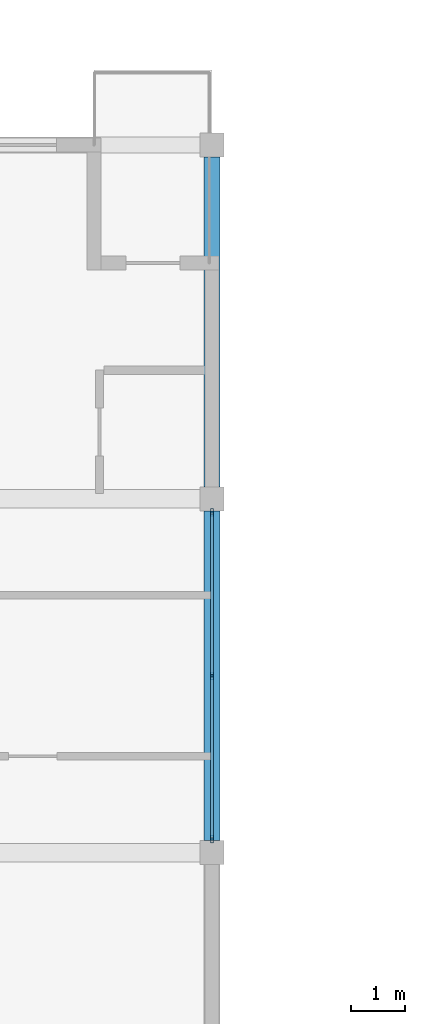
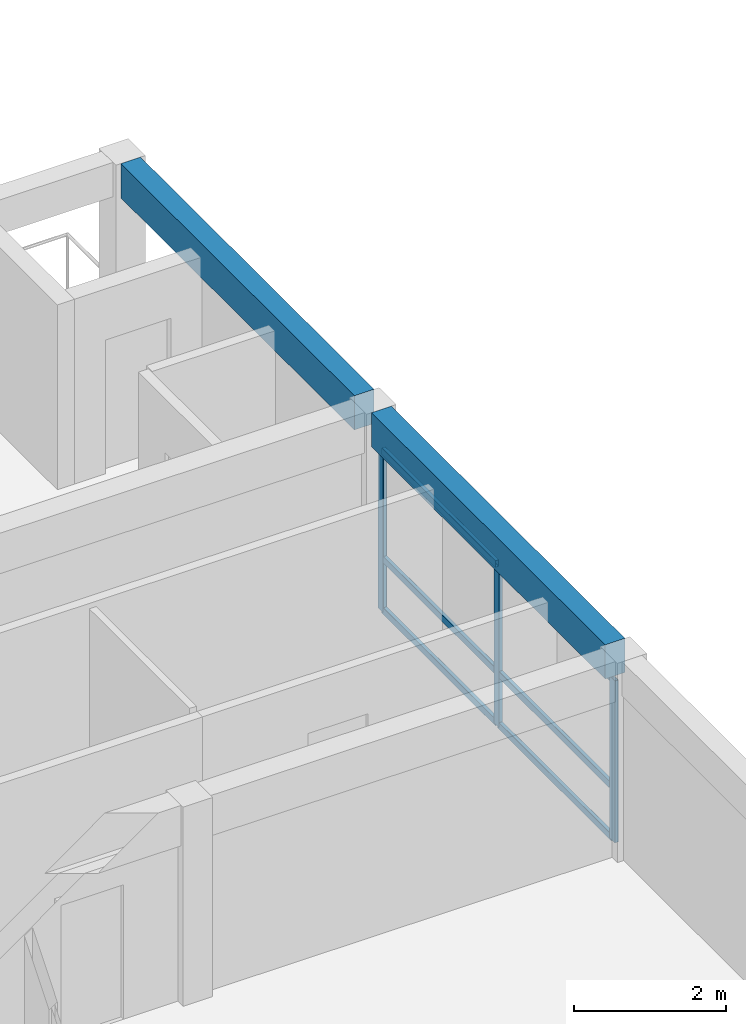
# One storey, part 11 of 37: 9 members, 2 beams, 1 element without a shape of its own.
"""IFC4 building model written with IfcOpenShell, lengths in metres."""

from ifc_helpers import new_model, si_unit, direction, frame, origin, origin_2d, place, context, subcontext, project, spatial, rectangle, hollow_rectangle, extrude, material, material_profile, profile_set, type_object, element, aggregate, save


model = new_model("IFC4")

# Units and contexts
model_context = context("Model", 3, precision=1e-05, world=origin(), true_north=direction((0.0, 1.0)))
body_context = subcontext(model_context, "Body", "Model", "MODEL_VIEW")
ifc_project = project(units=[si_unit("LENGTHUNIT", "METRE"), si_unit("AREAUNIT", "SQUARE_METRE"), si_unit("VOLUMEUNIT", "CUBIC_METRE"), si_unit("PLANEANGLEUNIT", "RADIAN"), si_unit("MASSUNIT", "GRAM", prefix="KILO")], contexts=[model_context])

# Site, building, storey
site_placement = place(None, origin())
site = spatial("IfcSite", under=ifc_project, at=site_placement, CompositionType="ELEMENT")
building_placement = place(site_placement, origin())
building = spatial("IfcBuilding", under=site, at=building_placement, Name="Kernevlak Ridge Housing Community", CompositionType="ELEMENT")
storey_placement = place(building_placement, frame((0.0, 0.0, 37.199951171875)))
storey = spatial("IfcBuildingStorey", under=building, at=storey_placement, Name="L11", CompositionType="ELEMENT", Elevation=37.199951171875)

# Curtain wall, members
ifc_material_1 = material(Name="Aluminium EN AW-6060 anodised and laminated glass", Category="aluminium")
curtain_wall_type = type_object("IfcCurtainWallType", Name="CW-09", PredefinedType="NOTDEFINED", material=ifc_material_1)
curtain_wall_placement = place(storey_placement, origin())
curtain_wall = element("IfcCurtainWall", 1, at=curtain_wall_placement, inside=storey, type_object=curtain_wall_type, Name="Curtain wall CW-09 CW-L11-036", PredefinedType="NOTDEFINED")
ifc_material_2 = material(Name="Aluminium EN AW-6060 anodised", Category="aluminium")
ifc_material_profile_1 = material_profile(ifc_material_2, hollow_rectangle(XDim=0.054931640625, YDim=0.139892578125, WallThickness=0.00390625, InnerFilletRadius=0.001953125, OuterFilletRadius=0.00390625, at=origin_2d()), Name="ALU 55x140x4")
ifc_profile_set_1 = profile_set([ifc_material_profile_1], Name="Aluminium EN AW-6060 anodised")
member_type_1 = type_object("IfcMemberType", Name="MU-01", PredefinedType="MULLION", material=ifc_profile_set_1)
member_1_placement = place(storey_placement, frame((48.60009765625, 82.8525390625, 0.0), z_axis=(0.0, 0.0, 1.0), x_axis=(-1.0, 0.0, 0.0)))
member_1 = element("IfcMember", 2, at=member_1_placement, type_object=member_type_1, Name="CW-09 mullion 1", PredefinedType="MULLION", context=body_context, shape_type="SweptSolid", body=[
    extrude(hollow_rectangle(XDim=0.054931640625, YDim=0.139892578125, WallThickness=0.00390625, InnerFilletRadius=0.001953125, OuterFilletRadius=0.00390625, at=origin_2d()), origin(), (0.0, 0.0, 1.0), 2.60009765625),
])
member_2_placement = place(storey_placement, frame((48.60009765625, 85.89990234375, 0.0), z_axis=(0.0, 0.0, 1.0), x_axis=(-1.0, 0.0, 0.0)))
member_2 = element("IfcMember", 3, at=member_2_placement, type_object=member_type_1, Name="CW-09 mullion 2", PredefinedType="MULLION", context=body_context, shape_type="SweptSolid", body=[
    extrude(hollow_rectangle(XDim=0.054931640625, YDim=0.139892578125, WallThickness=0.00390625, InnerFilletRadius=0.001953125, OuterFilletRadius=0.00390625, at=origin_2d()), origin(), (0.0, 0.0, 1.0), 2.60009765625),
])
member_3_placement = place(storey_placement, frame((48.60009765625, 88.947509765625, 0.0), z_axis=(0.0, 0.0, 1.0), x_axis=(-1.0, 0.0, 0.0)))
member_3 = element("IfcMember", 4, at=member_3_placement, type_object=member_type_1, Name="CW-09 mullion 3", PredefinedType="MULLION", context=body_context, shape_type="SweptSolid", body=[
    extrude(hollow_rectangle(XDim=0.054931640625, YDim=0.139892578125, WallThickness=0.00390625, InnerFilletRadius=0.001953125, OuterFilletRadius=0.00390625, at=origin_2d()), origin(), (0.0, 0.0, 1.0), 2.60009765625),
])

# Beams
ifc_material_3 = material(Name="Concrete C35/45", Category="concrete")
ifc_material_profile_2 = material_profile(ifc_material_3, rectangle(XDim=0.300048828125, YDim=0.550048828125, at=origin_2d()), Name="RC 300x550")
ifc_profile_set_2 = profile_set([ifc_material_profile_2], Name="Concrete C35/45")
beam_type = type_object("IfcBeamType", Name="SP-01", PredefinedType="SPANDREL", material=ifc_profile_set_2)
beam_1_placement = place(storey_placement, frame((48.60009765625, 82.824951171875, 2.925048828125), z_axis=(0.0, 1.0, 0.0), x_axis=(-1.0, 0.0, 0.0)))
element("IfcBeam", 5, at=beam_1_placement, inside=storey, type_object=beam_type, Name="Beam SP-01 L11 367", PredefinedType="SPANDREL", context=body_context, shape_type="SweptSolid", body=[
    extrude(rectangle(XDim=0.300048828125, YDim=0.550048828125, at=origin_2d()), origin(), (0.0, 0.0, 1.0), 6.150146484375),
])
beam_2_placement = place(storey_placement, frame((48.60009765625, 89.425048828125, 2.925048828125), z_axis=(0.0, 1.0, 0.0), x_axis=(-1.0, 0.0, 0.0)))
element("IfcBeam", 6, at=beam_2_placement, inside=storey, type_object=beam_type, Name="Beam SP-01 L11 368", PredefinedType="SPANDREL", context=body_context, shape_type="SweptSolid", body=[
    extrude(rectangle(XDim=0.300048828125, YDim=0.550048828125, at=origin_2d()), origin(), (0.0, 0.0, 1.0), 6.14990234375),
])

# Member
ifc_material_profile_3 = material_profile(ifc_material_2, hollow_rectangle(XDim=0.054931640625, YDim=0.110107421875, WallThickness=0.00390625, InnerFilletRadius=0.001953125, OuterFilletRadius=0.00390625, at=origin_2d()), Name="ALU 55x110x4")
ifc_profile_set_3 = profile_set([ifc_material_profile_3], Name="Aluminium EN AW-6060 anodised")
member_type_2 = type_object("IfcMemberType", Name="TM-01", PredefinedType="USERDEFINED", material=ifc_profile_set_3)
member_4_placement = place(storey_placement, frame((48.60009765625, 82.8798828125, 0.027587890625), z_axis=(0.0, 1.0, 0.0), x_axis=(-1.0, 0.0, 0.0)))
member_4 = element("IfcMember", 7, at=member_4_placement, type_object=member_type_2, Name="CW-09 transom 1.1", ObjectType="TRANSOM", PredefinedType="USERDEFINED", context=body_context, shape_type="SweptSolid", body=[
    extrude(hollow_rectangle(XDim=0.054931640625, YDim=0.110107421875, WallThickness=0.00390625, InnerFilletRadius=0.001953125, OuterFilletRadius=0.00390625, at=origin_2d()), origin(), (0.0, 0.0, 1.0), 2.99267578125),
])

member_5_placement = place(storey_placement, frame((48.60009765625, 82.8798828125, 0.85009765625), z_axis=(0.0, 1.0, 0.0), x_axis=(-1.0, 0.0, 0.0)))
member_5 = element("IfcMember", 8, at=member_5_placement, type_object=member_type_2, Name="CW-09 transom 1.2", ObjectType="TRANSOM", PredefinedType="USERDEFINED", context=body_context, shape_type="SweptSolid", body=[
    extrude(hollow_rectangle(XDim=0.054931640625, YDim=0.110107421875, WallThickness=0.00390625, InnerFilletRadius=0.001953125, OuterFilletRadius=0.00390625, at=origin_2d()), origin(), (0.0, 0.0, 1.0), 2.99267578125),
])

member_6_placement = place(storey_placement, frame((48.60009765625, 82.8798828125, 2.572509765625), z_axis=(0.0, 1.0, 0.0), x_axis=(-1.0, 0.0, 0.0)))
member_6 = element("IfcMember", 9, at=member_6_placement, type_object=member_type_2, Name="CW-09 transom 1.3", ObjectType="TRANSOM", PredefinedType="USERDEFINED", context=body_context, shape_type="SweptSolid", body=[
    extrude(hollow_rectangle(XDim=0.054931640625, YDim=0.110107421875, WallThickness=0.00390625, InnerFilletRadius=0.001953125, OuterFilletRadius=0.00390625, at=origin_2d()), origin(), (0.0, 0.0, 1.0), 2.99267578125),
])

member_7_placement = place(storey_placement, frame((48.60009765625, 85.927490234375, 0.027587890625), z_axis=(0.0, 1.0, 0.0), x_axis=(-1.0, 0.0, 0.0)))
member_7 = element("IfcMember", 10, at=member_7_placement, type_object=member_type_2, Name="CW-09 transom 2.1", ObjectType="TRANSOM", PredefinedType="USERDEFINED", context=body_context, shape_type="SweptSolid", body=[
    extrude(hollow_rectangle(XDim=0.054931640625, YDim=0.110107421875, WallThickness=0.00390625, InnerFilletRadius=0.001953125, OuterFilletRadius=0.00390625, at=origin_2d()), origin(), (0.0, 0.0, 1.0), 2.992431640625),
])

member_8_placement = place(storey_placement, frame((48.60009765625, 85.927490234375, 0.85009765625), z_axis=(0.0, 1.0, 0.0), x_axis=(-1.0, 0.0, 0.0)))
member_8 = element("IfcMember", 11, at=member_8_placement, type_object=member_type_2, Name="CW-09 transom 2.2", ObjectType="TRANSOM", PredefinedType="USERDEFINED", context=body_context, shape_type="SweptSolid", body=[
    extrude(hollow_rectangle(XDim=0.054931640625, YDim=0.110107421875, WallThickness=0.00390625, InnerFilletRadius=0.001953125, OuterFilletRadius=0.00390625, at=origin_2d()), origin(), (0.0, 0.0, 1.0), 2.992431640625),
])

member_9_placement = place(storey_placement, frame((48.60009765625, 85.927490234375, 2.572509765625), z_axis=(0.0, 1.0, 0.0), x_axis=(-1.0, 0.0, 0.0)))
member_9 = element("IfcMember", 12, at=member_9_placement, type_object=member_type_2, Name="CW-09 transom 2.3", ObjectType="TRANSOM", PredefinedType="USERDEFINED", context=body_context, shape_type="SweptSolid", body=[
    extrude(hollow_rectangle(XDim=0.054931640625, YDim=0.110107421875, WallThickness=0.00390625, InnerFilletRadius=0.001953125, OuterFilletRadius=0.00390625, at=origin_2d()), origin(), (0.0, 0.0, 1.0), 2.992431640625),
])

aggregate(curtain_wall, [member_1, member_2, member_3, member_4, member_5, member_6, member_7, member_8, member_9])

save(model, "model.ifc")
